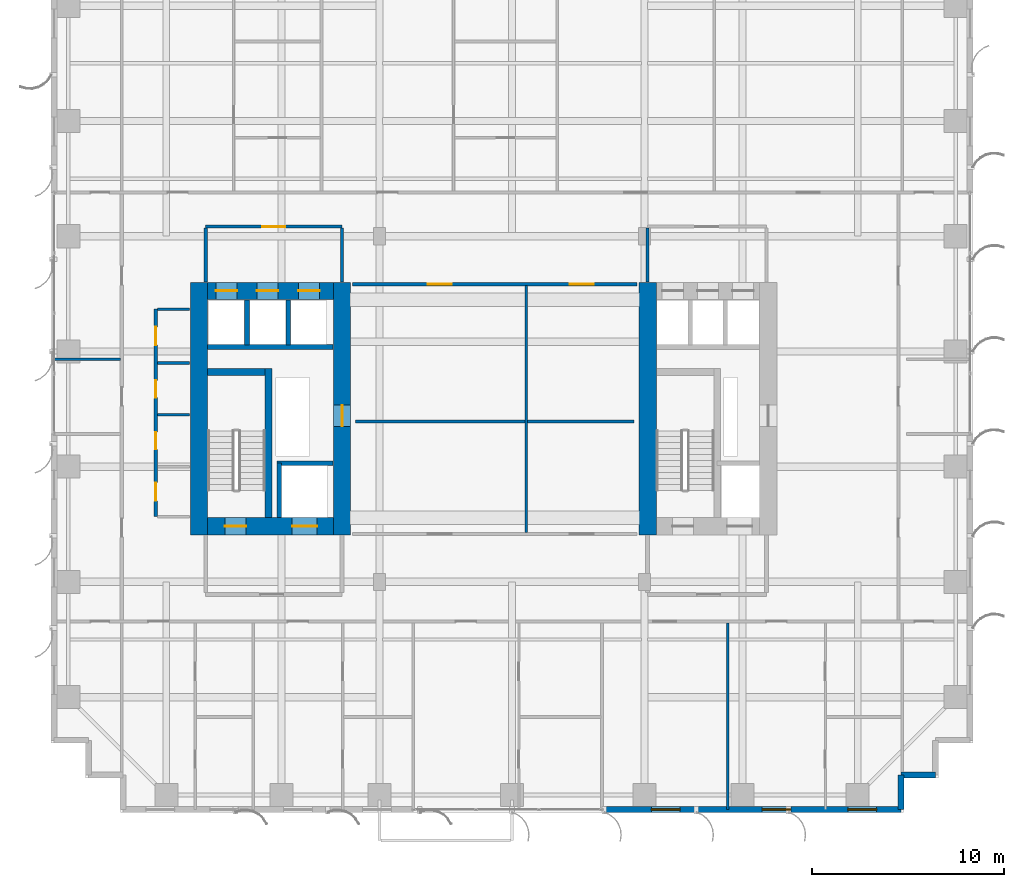
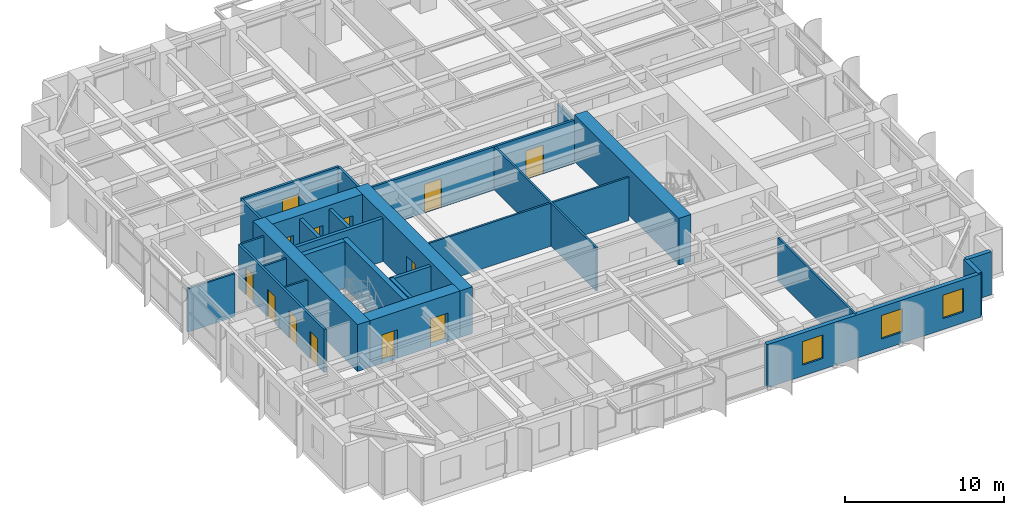
# One storey, part 16 of 22: 28 walls, 13 doors, 3 windows, 16 openings.
"""IFC4 building model written with IfcOpenShell, lengths in metres."""

from ifc_helpers import new_model, si_unit, direction, frame, frame_2d, origin, place, context, subcontext, project, spatial, rectangle, extrude, source, transform, mapped, material, layer, layer_set, type_object, element, fill, save


model = new_model("IFC4")

# Units and contexts
model_context = context("Model", 3, precision=1e-05, world=origin(), true_north=direction((0.0, 1.0)))
body_context = subcontext(model_context, "Body", "Model", "MODEL_VIEW")
ifc_project = project(units=[si_unit("LENGTHUNIT", "METRE"), si_unit("AREAUNIT", "SQUARE_METRE"), si_unit("VOLUMEUNIT", "CUBIC_METRE"), si_unit("PLANEANGLEUNIT", "RADIAN"), si_unit("MASSUNIT", "GRAM", prefix="KILO")], contexts=[model_context])

# Site, building, storey
site_placement = place(None, origin())
site = spatial("IfcSite", under=ifc_project, at=site_placement, CompositionType="ELEMENT")
building_placement = place(site_placement, origin())
building = spatial("IfcBuilding", under=site, at=building_placement, Name="Khoralis Quay Care Tower", CompositionType="ELEMENT")
storey_placement = place(building_placement, frame((0.0, 0.0, 44.10009765625)))
storey = spatial("IfcBuildingStorey", under=building, at=storey_placement, Name="L11", CompositionType="ELEMENT", Elevation=44.10009765625)

# Wall
ifc_material_1 = material(Name="Concrete C80/95", Category="concrete")
ifc_layer_1 = layer(ifc_material_1, 0.89990234375)
ifc_layer_set_1 = layer_set([ifc_layer_1], Name="Concrete C80/95")
wall_type_1 = type_object("IfcWallType", Name="WL-CORE-900", PredefinedType="SHEAR", material=ifc_layer_set_1)
wall_1_placement = place(storey_placement, frame((7.699951171875, 14.449951171875, 0.0), z_axis=(0.0, 0.0, 1.0), x_axis=(0.0, 1.0, 0.0)))
element("IfcWall", 1, at=wall_1_placement, inside=storey, type_object=wall_type_1, Name="L11 WCORE West Shear Wall", PredefinedType="SHEAR", context=body_context, shape_type="SweptSolid", body=[
    extrude(rectangle(XDim=13.150146484375, YDim=0.89990234375, at=frame_2d((6.5751953125, 0.0))), origin(), (0.0, 0.0, 1.0), 3.599853515625),
])

# Wall, opening, door
wall_2_placement = place(storey_placement, frame((15.14990234375, 14.449951171875, 0.0), z_axis=(0.0, 0.0, 1.0), x_axis=(0.0, 1.0, 0.0)))
wall_2 = element("IfcWall", 2, at=wall_2_placement, inside=storey, type_object=wall_type_1, Name="L11 WCORE East Shear Wall", PredefinedType="SHEAR", context=body_context, shape_type="SweptSolid", body=[
    extrude(rectangle(XDim=13.150146484375, YDim=0.89990234375, at=frame_2d((6.5751953125, 0.0))), origin(), (0.0, 0.0, 1.0), 3.599853515625),
])
opening_1_placement = place(wall_2_placement, frame((5.64990234375, 0.0, 0.0)))
opening_1 = element("IfcOpeningElement", 3, at=opening_1_placement, cuts=wall_2, Name="Opening SD1", PredefinedType="OPENING", context=body_context, shape_type="SweptSolid", body=[
    extrude(rectangle(XDim=1.10009765625, YDim=2.199951171875, at=frame_2d((0.550048828125, 1.10009765625))), frame((0.0, 0.4599609375, 0.0), z_axis=(0.0, -1.0, 0.0), x_axis=(1.0, 0.0, 0.0)), (0.0, 0.0, 1.0), 0.919921875),
])
ifc_material_2 = material(Name="Fire-rated painted steel", Category="steel")
door_type_1 = type_object("IfcDoorType", Name="DR-STAIR-1100X2200", OperationType="NOTDEFINED", PredefinedType="DOOR", material=ifc_material_2)
shared_shape_1 = source(origin(), body_context, "Body", "SweptSolid", [
    extrude(rectangle(XDim=1.10009765625, YDim=2.199951171875, at=frame_2d((0.550048828125, 1.10009765625))), frame((0.0, 0.02490234375, 0.0), z_axis=(0.0, -1.0, 0.0), x_axis=(1.0, 0.0, 0.0)), (0.0, 0.0, 1.0), 0.050048828125),
])
door_1_placement = place(opening_1_placement, origin())
door_1 = element("IfcDoor", 4, at=door_1_placement, inside=storey, type_object=door_type_1, Name="L11 West MEP Riser Door", OperationType="SINGLE_SWING_LEFT", OverallHeight=2.199951171875, OverallWidth=1.10009765625, PredefinedType="DOOR", context=body_context, shape_type="MappedRepresentation", body=[
    mapped(shared_shape_1, transform((0.0, 0.0, 0.0), scale=1.0)),
])
fill(opening_1, door_1)

# Wall, openings, doors
wall_3_placement = place(storey_placement, frame((8.14990234375, 14.89990234375, 0.0), z_axis=(0.0, 0.0, 1.0), x_axis=(1.0, 0.0, 0.0)))
wall_3 = element("IfcWall", 5, at=wall_3_placement, inside=storey, type_object=wall_type_1, Name="L11 WCORE South Shear Wall", PredefinedType="SHEAR", context=body_context, shape_type="SweptSolid", body=[
    extrude(rectangle(XDim=6.550048828125, YDim=0.89990234375, at=frame_2d((3.27490234375, 0.0))), origin(), (0.0, 0.0, 1.0), 3.599853515625),
])
opening_2_placement = place(wall_3_placement, frame((0.89990234375, 0.0, 0.0)))
opening_2 = element("IfcOpeningElement", 6, at=opening_2_placement, cuts=wall_3, Name="Opening SD1", PredefinedType="OPENING", context=body_context, shape_type="SweptSolid", body=[
    extrude(rectangle(XDim=1.10009765625, YDim=2.199951171875, at=frame_2d((0.550048828125, 1.10009765625))), frame((0.0, 0.4599609375, 0.0), z_axis=(0.0, -1.0, 0.0), x_axis=(1.0, 0.0, 0.0)), (0.0, 0.0, 1.0), 0.919921875),
])
opening_3_placement = place(wall_3_placement, frame((4.39990234375, 0.0, 0.0)))
opening_3 = element("IfcOpeningElement", 7, at=opening_3_placement, cuts=wall_3, Name="Opening LD2", PredefinedType="OPENING", context=body_context, shape_type="SweptSolid", body=[
    extrude(rectangle(XDim=1.300048828125, YDim=2.199951171875, at=frame_2d((0.64990234375, 1.10009765625))), frame((0.0, 0.4599609375, 0.0), z_axis=(0.0, -1.0, 0.0), x_axis=(1.0, 0.0, 0.0)), (0.0, 0.0, 1.0), 0.919921875),
])
door_2_placement = place(opening_2_placement, origin())
door_2 = element("IfcDoor", 8, at=door_2_placement, inside=storey, type_object=door_type_1, Name="L11 Stair ST-T1 Fire Door", OperationType="SINGLE_SWING_LEFT", OverallHeight=2.199951171875, OverallWidth=1.10009765625, PredefinedType="DOOR", context=body_context, shape_type="MappedRepresentation", body=[
    mapped(shared_shape_1, transform((0.0, 0.0, 0.0), scale=1.0)),
])
fill(opening_2, door_2)
ifc_material_3 = material(Name="Brushed stainless steel", Category="steel")
door_type_2 = type_object("IfcDoorType", Name="DR-LIFT-1300X2200", OperationType="SLIDING_TO_RIGHT", PredefinedType="DOOR", material=ifc_material_3)
shared_shape_2 = source(origin(), body_context, "Body", "SweptSolid", [
    extrude(rectangle(XDim=1.300048828125, YDim=2.199951171875, at=frame_2d((0.64990234375, 1.10009765625))), frame((0.0, 0.02490234375, 0.0), z_axis=(0.0, -1.0, 0.0), x_axis=(1.0, 0.0, 0.0)), (0.0, 0.0, 1.0), 0.050048828125),
])
door_3_placement = place(opening_3_placement, origin())
door_3 = element("IfcDoor", 9, at=door_3_placement, inside=storey, type_object=door_type_2, Name="L11 Firefighting Lift FFL-1 Landing Door", OperationType="SLIDING_TO_RIGHT", OverallHeight=2.199951171875, OverallWidth=1.300048828125, PredefinedType="DOOR", context=body_context, shape_type="MappedRepresentation", body=[
    mapped(shared_shape_2, transform((0.0, 0.0, 0.0), scale=1.0)),
])
fill(opening_3, door_3)

wall_4_placement = place(storey_placement, frame((8.14990234375, 27.14990234375, 0.0), z_axis=(0.0, 0.0, 1.0), x_axis=(1.0, 0.0, 0.0)))
wall_4 = element("IfcWall", 10, at=wall_4_placement, inside=storey, type_object=wall_type_1, Name="L11 WCORE North Shear Wall", PredefinedType="SHEAR", context=body_context, shape_type="SweptSolid", body=[
    extrude(rectangle(XDim=6.550048828125, YDim=0.89990234375, at=frame_2d((3.27490234375, 0.0))), origin(), (0.0, 0.0, 1.0), 3.599853515625),
])
opening_4_placement = place(wall_4_placement, frame((0.429931640625, 0.0, 0.0)))
opening_4 = element("IfcOpeningElement", 11, at=opening_4_placement, cuts=wall_4, Name="Opening LD1", PredefinedType="OPENING", context=body_context, shape_type="SweptSolid", body=[
    extrude(rectangle(XDim=1.10009765625, YDim=2.199951171875, at=frame_2d((0.550048828125, 1.10009765625))), frame((0.0, 0.4599609375, 0.0), z_axis=(0.0, -1.0, 0.0), x_axis=(1.0, 0.0, 0.0)), (0.0, 0.0, 1.0), 0.919921875),
])
opening_5_placement = place(wall_4_placement, frame((2.570068359375, 0.0, 0.0)))
opening_5 = element("IfcOpeningElement", 12, at=opening_5_placement, cuts=wall_4, Name="Opening LD1", PredefinedType="OPENING", context=body_context, shape_type="SweptSolid", body=[
    extrude(rectangle(XDim=1.10009765625, YDim=2.199951171875, at=frame_2d((0.550048828125, 1.10009765625))), frame((0.0, 0.4599609375, 0.0), z_axis=(0.0, -1.0, 0.0), x_axis=(1.0, 0.0, 0.0)), (0.0, 0.0, 1.0), 0.919921875),
])
opening_6_placement = place(wall_4_placement, frame((4.72998046875, 0.0, 0.0)))
opening_6 = element("IfcOpeningElement", 13, at=opening_6_placement, cuts=wall_4, Name="Opening LD1", PredefinedType="OPENING", context=body_context, shape_type="SweptSolid", body=[
    extrude(rectangle(XDim=1.10009765625, YDim=2.199951171875, at=frame_2d((0.550048828125, 1.10009765625))), frame((0.0, 0.4599609375, 0.0), z_axis=(0.0, -1.0, 0.0), x_axis=(1.0, 0.0, 0.0)), (0.0, 0.0, 1.0), 0.919921875),
])
door_type_3 = type_object("IfcDoorType", Name="DR-LIFT-1100X2200", OperationType="SLIDING_TO_LEFT", PredefinedType="DOOR", material=ifc_material_3)
shared_shape_3 = source(origin(), body_context, "Body", "SweptSolid", [
    extrude(rectangle(XDim=1.10009765625, YDim=2.199951171875, at=frame_2d((0.550048828125, 1.10009765625))), frame((0.0, 0.02490234375, 0.0), z_axis=(0.0, -1.0, 0.0), x_axis=(1.0, 0.0, 0.0)), (0.0, 0.0, 1.0), 0.050048828125),
])
door_4_placement = place(opening_4_placement, origin())
door_4 = element("IfcDoor", 14, at=door_4_placement, inside=storey, type_object=door_type_3, Name="L11 Lift PLL1 Landing Door", OperationType="SLIDING_TO_LEFT", OverallHeight=2.199951171875, OverallWidth=1.10009765625, PredefinedType="DOOR", context=body_context, shape_type="MappedRepresentation", body=[
    mapped(shared_shape_3, transform((0.0, 0.0, 0.0), scale=1.0)),
])
fill(opening_4, door_4)
door_5_placement = place(opening_5_placement, origin())
door_5 = element("IfcDoor", 15, at=door_5_placement, inside=storey, type_object=door_type_3, Name="L11 Lift PLM1 Landing Door", OperationType="SLIDING_TO_LEFT", OverallHeight=2.199951171875, OverallWidth=1.10009765625, PredefinedType="DOOR", context=body_context, shape_type="MappedRepresentation", body=[
    mapped(shared_shape_3, transform((0.0, 0.0, 0.0), scale=1.0)),
])
fill(opening_5, door_5)
door_6_placement = place(opening_6_placement, origin())
door_6 = element("IfcDoor", 16, at=door_6_placement, inside=storey, type_object=door_type_3, Name="L11 Lift PLH1 Landing Door", OperationType="SLIDING_TO_LEFT", OverallHeight=2.199951171875, OverallWidth=1.10009765625, PredefinedType="DOOR", context=body_context, shape_type="MappedRepresentation", body=[
    mapped(shared_shape_3, transform((0.0, 0.0, 0.0), scale=1.0)),
])
fill(opening_6, door_6)

# Wall
wall_5_placement = place(storey_placement, frame((31.070068359375, 14.449951171875, 0.0), z_axis=(0.0, 0.0, 1.0), x_axis=(0.0, 1.0, 0.0)))
element("IfcWall", 17, at=wall_5_placement, inside=storey, type_object=wall_type_1, Name="L11 ECORE West Shear Wall", PredefinedType="SHEAR", context=body_context, shape_type="SweptSolid", body=[
    extrude(rectangle(XDim=13.150146484375, YDim=0.89990234375, at=frame_2d((6.5751953125, 0.0))), origin(), (0.0, 0.0, 1.0), 3.599853515625),
])

# Wall, opening, door
ifc_material_4 = material(Name="Gypsum plasterboard on acoustic metal stud")
ifc_layer_2 = layer(ifc_material_4, 0.1650390625)
ifc_layer_set_2 = layer_set([ifc_layer_2], Name="Gypsum plasterboard on acoustic metal stud")
wall_type_2 = type_object("IfcWallType", Name="WL-CORR-165", PredefinedType="PARTITIONING", material=ifc_layer_set_2)
wall_6_placement = place(storey_placement, frame((8.050048828125, 30.5, 0.0), z_axis=(0.0, 0.0, 1.0), x_axis=(1.0, 0.0, 0.0)))
wall_6 = element("IfcWall", 18, at=wall_6_placement, inside=storey, type_object=wall_type_2, Name="L11 West Lift Lobby North Wall", PredefinedType="PARTITIONING", context=body_context, shape_type="SweptSolid", body=[
    extrude(rectangle(XDim=7.099853515625, YDim=0.1650390625, at=frame_2d((3.5498046875, 0.0))), origin(), (0.0, 0.0, 1.0), 3.31982421875),
])
opening_7_placement = place(wall_6_placement, frame((2.949951171875, 0.0, 0.0)))
opening_7 = element("IfcOpeningElement", 19, at=opening_7_placement, cuts=wall_6, Name="Opening FD1", PredefinedType="OPENING", context=body_context, shape_type="SweptSolid", body=[
    extrude(rectangle(XDim=1.199951171875, YDim=2.199951171875, at=frame_2d((0.60009765625, 1.10009765625))), frame((0.0, 0.092529296875, 0.0), z_axis=(0.0, -1.0, 0.0), x_axis=(1.0, 0.0, 0.0)), (0.0, 0.0, 1.0), 0.18505859375),
])
door_type_4 = type_object("IfcDoorType", Name="DR-FFL-1200X2200", OperationType="NOTDEFINED", PredefinedType="DOOR", material=ifc_material_2)
shared_shape_4 = source(origin(), body_context, "Body", "SweptSolid", [
    extrude(rectangle(XDim=1.199951171875, YDim=2.199951171875, at=frame_2d((0.60009765625, 1.10009765625))), frame((0.0, 0.02490234375, 0.0), z_axis=(0.0, -1.0, 0.0), x_axis=(1.0, 0.0, 0.0)), (0.0, 0.0, 1.0), 0.050048828125),
])
door_7_placement = place(opening_7_placement, origin())
door_7 = element("IfcDoor", 20, at=door_7_placement, inside=storey, type_object=door_type_4, Name="L11 West Lift Lobby Double Door", OperationType="DOUBLE_DOOR_SINGLE_SWING", OverallHeight=2.199951171875, OverallWidth=1.199951171875, PredefinedType="DOOR", context=body_context, shape_type="MappedRepresentation", body=[
    mapped(shared_shape_4, transform((0.0, 0.0, 0.0), scale=1.0)),
])
fill(opening_7, door_7)

# Walls
for number, where, z_axis, x_axis, name in (
    (21, (8.050048828125, 27.6201171875, 0.0), (0.0, 0.0, 1.0), (0.0, 1.0, 0.0), "L11 West Lift Lobby West Wall"),
    (22, (15.14990234375, 27.6201171875, 0.0), (0.0, 0.0, 1.0), (0.0, 1.0, 0.0), "L11 West Lift Lobby East Wall"),
):
    element("IfcWall", number, at=place(storey_placement, frame(where, z_axis=z_axis, x_axis=x_axis)), inside=storey, type_object=wall_type_2, Name=name, PredefinedType="PARTITIONING", context=body_context, shape_type="SweptSolid", body=[
        extrude(rectangle(XDim=2.802490234375, YDim=0.1650390625, at=frame_2d((1.4013671875, 0.0))), origin(), (0.0, 0.0, 1.0), 3.31982421875),
    ])
wall_7_placement = place(storey_placement, frame((31.050048828125, 27.6201171875, 0.0), z_axis=(0.0, 0.0, 1.0), x_axis=(0.0, 1.0, 0.0)))
element("IfcWall", 23, at=wall_7_placement, inside=storey, type_object=wall_type_2, Name="L11 East Lift Lobby West Wall", PredefinedType="PARTITIONING", context=body_context, shape_type="SweptSolid", body=[
    extrude(rectangle(XDim=2.802490234375, YDim=0.1650390625, at=frame_2d((1.4013671875, 0.0))), origin(), (0.0, 0.0, 1.0), 2.625),
])

# Wall, openings, doors
wall_8_placement = place(storey_placement, frame((5.449951171875, 15.39990234375, 0.0), z_axis=(0.0, 0.0, 1.0), x_axis=(0.0, 1.0, 0.0)))
wall_8 = element("IfcWall", 24, at=wall_8_placement, inside=storey, type_object=wall_type_2, Name="L11 West Core Service Flank Wall", PredefinedType="PARTITIONING", context=body_context, shape_type="SweptSolid", body=[
    extrude(rectangle(XDim=10.800048828125, YDim=0.1650390625, at=frame_2d((5.39990234375, 0.0))), origin(), (0.0, 0.0, 1.0), 3.31982421875),
])
opening_8_placement = place(wall_8_placement, frame((0.824951171875, 0.0, 0.0)))
opening_8 = element("IfcOpeningElement", 25, at=opening_8_placement, cuts=wall_8, Name="Opening ID1", PredefinedType="OPENING", context=body_context, shape_type="SweptSolid", body=[
    extrude(rectangle(XDim=0.949951171875, YDim=2.10009765625, at=frame_2d((0.47509765625, 1.050048828125))), frame((0.0, 0.092529296875, 0.0), z_axis=(0.0, -1.0, 0.0), x_axis=(1.0, 0.0, 0.0)), (0.0, 0.0, 1.0), 0.18505859375),
])
opening_9_placement = place(wall_8_placement, frame((3.5, 0.0, 0.0)))
opening_9 = element("IfcOpeningElement", 26, at=opening_9_placement, cuts=wall_8, Name="Opening WD1", PredefinedType="OPENING", context=body_context, shape_type="SweptSolid", body=[
    extrude(rectangle(XDim=0.89990234375, YDim=2.10009765625, at=frame_2d((0.449951171875, 1.050048828125))), frame((0.0, 0.092529296875, 0.0), z_axis=(0.0, -1.0, 0.0), x_axis=(1.0, 0.0, 0.0)), (0.0, 0.0, 1.0), 0.18505859375),
])
opening_10_placement = place(wall_8_placement, frame((6.199951171875, 0.0, 0.0)))
opening_10 = element("IfcOpeningElement", 27, at=opening_10_placement, cuts=wall_8, Name="Opening WD1", PredefinedType="OPENING", context=body_context, shape_type="SweptSolid", body=[
    extrude(rectangle(XDim=0.89990234375, YDim=2.10009765625, at=frame_2d((0.449951171875, 1.050048828125))), frame((0.0, 0.092529296875, 0.0), z_axis=(0.0, -1.0, 0.0), x_axis=(1.0, 0.0, 0.0)), (0.0, 0.0, 1.0), 0.18505859375),
])
opening_11_placement = place(wall_8_placement, frame((8.925048828125, 0.0, 0.0)))
opening_11 = element("IfcOpeningElement", 28, at=opening_11_placement, cuts=wall_8, Name="Opening ID1", PredefinedType="OPENING", context=body_context, shape_type="SweptSolid", body=[
    extrude(rectangle(XDim=0.949951171875, YDim=2.10009765625, at=frame_2d((0.47509765625, 1.050048828125))), frame((0.0, 0.092529296875, 0.0), z_axis=(0.0, -1.0, 0.0), x_axis=(1.0, 0.0, 0.0)), (0.0, 0.0, 1.0), 0.18505859375),
])
ifc_material_5 = material(Name="Acoustic hardwood timber", Category="wood")
door_type_5 = type_object("IfcDoorType", Name="DR-BATH-900X2100", OperationType="NOTDEFINED", PredefinedType="DOOR", material=ifc_material_5)
shared_shape_5 = source(origin(), body_context, "Body", "SweptSolid", [
    extrude(rectangle(XDim=0.89990234375, YDim=2.10009765625, at=frame_2d((0.449951171875, 1.050048828125))), frame((0.0, 0.02490234375, 0.0), z_axis=(0.0, -1.0, 0.0), x_axis=(1.0, 0.0, 0.0)), (0.0, 0.0, 1.0), 0.050048828125),
])
door_8_placement = place(opening_9_placement, frame((0.89990234375, 0.0, 0.0), z_axis=(0.0, 0.0, 1.0), x_axis=(-1.0, 0.0, 0.0)))
door_8 = element("IfcDoor", 29, at=door_8_placement, inside=storey, type_object=door_type_5, Name="L11 Public Accessible WC Door", OperationType="SINGLE_SWING_LEFT", OverallHeight=2.10009765625, OverallWidth=0.89990234375, PredefinedType="DOOR", context=body_context, shape_type="MappedRepresentation", body=[
    mapped(shared_shape_5, transform((0.0, 0.0, 0.0), scale=1.0)),
])
fill(opening_9, door_8)
door_9_placement = place(opening_10_placement, frame((0.89990234375, 0.0, 0.0), z_axis=(0.0, 0.0, 1.0), x_axis=(-1.0, 0.0, 0.0)))
door_9 = element("IfcDoor", 30, at=door_9_placement, inside=storey, type_object=door_type_5, Name="L11 Staff Accessible WC Door", OperationType="SINGLE_SWING_RIGHT", OverallHeight=2.10009765625, OverallWidth=0.89990234375, PredefinedType="DOOR", context=body_context, shape_type="MappedRepresentation", body=[
    mapped(shared_shape_5, transform((0.0, 0.0, 0.0), scale=1.0)),
])
fill(opening_10, door_9)
door_type_6 = type_object("IfcDoorType", Name="DR-ROOM-950X2100", OperationType="NOTDEFINED", PredefinedType="DOOR", material=ifc_material_5)
shared_shape_6 = source(origin(), body_context, "Body", "SweptSolid", [
    extrude(rectangle(XDim=0.949951171875, YDim=2.10009765625, at=frame_2d((0.47509765625, 1.050048828125))), frame((0.0, 0.02490234375, 0.0), z_axis=(0.0, -1.0, 0.0), x_axis=(1.0, 0.0, 0.0)), (0.0, 0.0, 1.0), 0.050048828125),
])
door_10_placement = place(opening_8_placement, frame((0.949951171875, 0.0, 0.0), z_axis=(0.0, 0.0, 1.0), x_axis=(-1.0, 0.0, 0.0)))
door_10 = element("IfcDoor", 31, at=door_10_placement, inside=storey, type_object=door_type_6, Name="L11 Housekeeping Store Door", OperationType="SINGLE_SWING_RIGHT", OverallHeight=2.10009765625, OverallWidth=0.949951171875, PredefinedType="DOOR", context=body_context, shape_type="MappedRepresentation", body=[
    mapped(shared_shape_6, transform((0.0, 0.0, 0.0), scale=1.0)),
])
fill(opening_8, door_10)
door_11_placement = place(opening_11_placement, frame((0.949951171875, 0.0, 0.0), z_axis=(0.0, 0.0, 1.0), x_axis=(-1.0, 0.0, 0.0)))
door_11 = element("IfcDoor", 32, at=door_11_placement, inside=storey, type_object=door_type_6, Name="L11 Telecom IDF Room Door", OperationType="SINGLE_SWING_LEFT", OverallHeight=2.10009765625, OverallWidth=0.949951171875, PredefinedType="DOOR", context=body_context, shape_type="MappedRepresentation", body=[
    mapped(shared_shape_6, transform((0.0, 0.0, 0.0), scale=1.0)),
])
fill(opening_11, door_11)

wall_9_placement = place(storey_placement, frame((15.699951171875, 27.5, 0.0), z_axis=(0.0, 0.0, 1.0), x_axis=(1.0, 0.0, 0.0)))
wall_9 = element("IfcWall", 33, at=wall_9_placement, inside=storey, type_object=wall_type_2, Name="L11 Central Clinical North Wall", PredefinedType="PARTITIONING", context=body_context, shape_type="SweptSolid", body=[
    extrude(rectangle(XDim=14.800048828125, YDim=0.1650390625, at=frame_2d((7.39990234375, 0.0))), origin(), (0.0, 0.0, 1.0), 3.31982421875),
])
opening_12_placement = place(wall_9_placement, frame((3.89990234375, 0.0, 0.0)))
opening_12 = element("IfcOpeningElement", 34, at=opening_12_placement, cuts=wall_9, Name="Opening CD1", PredefinedType="OPENING", context=body_context, shape_type="SweptSolid", body=[
    extrude(rectangle(XDim=1.25, YDim=2.199951171875, at=frame_2d((0.625, 1.10009765625))), frame((0.0, 0.092529296875, 0.0), z_axis=(0.0, -1.0, 0.0), x_axis=(1.0, 0.0, 0.0)), (0.0, 0.0, 1.0), 0.18505859375),
])
opening_13_placement = place(wall_9_placement, frame((11.300048828125, 0.0, 0.0)))
opening_13 = element("IfcOpeningElement", 35, at=opening_13_placement, cuts=wall_9, Name="Opening CD1", PredefinedType="OPENING", context=body_context, shape_type="SweptSolid", body=[
    extrude(rectangle(XDim=1.25, YDim=2.199951171875, at=frame_2d((0.625, 1.10009765625))), frame((0.0, 0.092529296875, 0.0), z_axis=(0.0, -1.0, 0.0), x_axis=(1.0, 0.0, 0.0)), (0.0, 0.0, 1.0), 0.18505859375),
])
door_type_7 = type_object("IfcDoorType", Name="DR-CARE-1250X2200", OperationType="NOTDEFINED", PredefinedType="DOOR", material=ifc_material_5)
shared_shape_7 = source(origin(), body_context, "Body", "SweptSolid", [
    extrude(rectangle(XDim=1.25, YDim=2.199951171875, at=frame_2d((0.625, 1.10009765625))), frame((0.0, 0.02490234375, 0.0), z_axis=(0.0, -1.0, 0.0), x_axis=(1.0, 0.0, 0.0)), (0.0, 0.0, 1.0), 0.050048828125),
])
door_12_placement = place(opening_12_placement, frame((1.25, 0.0, 0.0), z_axis=(0.0, 0.0, 1.0), x_axis=(-1.0, 0.0, 0.0)))
door_12 = element("IfcDoor", 36, at=door_12_placement, inside=storey, type_object=door_type_7, Name="L11 Library Lounge Door", OperationType="SINGLE_SWING_LEFT", OverallHeight=2.199951171875, OverallWidth=1.25, PredefinedType="DOOR", context=body_context, shape_type="MappedRepresentation", body=[
    mapped(shared_shape_7, transform((0.0, 0.0, 0.0), scale=1.0)),
])
fill(opening_12, door_12)
door_13_placement = place(opening_13_placement, frame((1.25, 0.0, 0.0), z_axis=(0.0, 0.0, 1.0), x_axis=(-1.0, 0.0, 0.0)))
door_13 = element("IfcDoor", 37, at=door_13_placement, inside=storey, type_object=door_type_7, Name="L11 Occupational Therapy Door", OperationType="SINGLE_SWING_RIGHT", OverallHeight=2.199951171875, OverallWidth=1.25, PredefinedType="DOOR", context=body_context, shape_type="MappedRepresentation", body=[
    mapped(shared_shape_7, transform((0.0, 0.0, 0.0), scale=1.0)),
])
fill(opening_13, door_13)

# Wall, openings, windows
ifc_material_6 = material(Name="Precast concrete C45/55", Category="concrete")
ifc_layer_3 = layer(ifc_material_6, 0.300048828125)
ifc_layer_set_3 = layer_set([ifc_layer_3], Name="Precast concrete C45/55")
wall_type_3 = type_object("IfcWallType", Name="WL-EXT-REF-300", PredefinedType="SOLIDWALL", material=ifc_layer_set_3)
wall_10_placement = place(storey_placement, frame((28.68994140625, 0.14990234375, 0.0), z_axis=(0.0, 0.0, 1.0), x_axis=(1.0, 0.0, 0.0)))
wall_10 = element("IfcWall", 38, at=wall_10_placement, inside=storey, type_object=wall_type_3, Name="L11 External Facade Wall WL-EXT-L11-P1-E0B", PredefinedType="SOLIDWALL", context=body_context, shape_type="SweptSolid", body=[
    extrude(rectangle(XDim=15.56005859375, YDim=0.300048828125, at=frame_2d((7.780029296875, 0.0))), origin(), (0.0, 0.0, 1.0), 3.31982421875),
])
opening_14_placement = place(wall_10_placement, frame((2.570068359375, 0.0, 0.85009765625)))
opening_14 = element("IfcOpeningElement", 39, at=opening_14_placement, cuts=wall_10, Name="Opening W3", PredefinedType="OPENING", context=body_context, shape_type="SweptSolid", body=[
    extrude(rectangle(XDim=1.5, YDim=1.800048828125, at=frame_2d((0.75, 0.89990234375))), frame((0.0, 0.16015625, 0.0), z_axis=(0.0, -1.0, 0.0), x_axis=(1.0, 0.0, 0.0)), (0.0, 0.0, 1.0), 0.320068359375),
])
opening_15_placement = place(wall_10_placement, frame((8.3349609375, 0.0, 0.85009765625)))
opening_15 = element("IfcOpeningElement", 40, at=opening_15_placement, cuts=wall_10, Name="Opening W3", PredefinedType="OPENING", context=body_context, shape_type="SweptSolid", body=[
    extrude(rectangle(XDim=1.5, YDim=1.800048828125, at=frame_2d((0.75, 0.89990234375))), frame((0.0, 0.16015625, 0.0), z_axis=(0.0, -1.0, 0.0), x_axis=(1.0, 0.0, 0.0)), (0.0, 0.0, 1.0), 0.320068359375),
])
opening_16_placement = place(wall_10_placement, frame((12.794921875, 0.0, 0.85009765625)))
opening_16 = element("IfcOpeningElement", 41, at=opening_16_placement, cuts=wall_10, Name="Opening W3", PredefinedType="OPENING", context=body_context, shape_type="SweptSolid", body=[
    extrude(rectangle(XDim=1.5, YDim=1.800048828125, at=frame_2d((0.75, 0.89990234375))), frame((0.0, 0.16015625, 0.0), z_axis=(0.0, -1.0, 0.0), x_axis=(1.0, 0.0, 0.0)), (0.0, 0.0, 1.0), 0.320068359375),
])
ifc_material_7 = material(Name="Low-E solar-control double glazing", Category="glass")
window_type = type_object("IfcWindowType", Name="WN-CLIN-1500X1800", PartitioningType="SINGLE_PANEL", PredefinedType="WINDOW", material=ifc_material_7)
shared_shape_8 = source(origin(), body_context, "Body", "SweptSolid", [
    extrude(rectangle(XDim=1.5, YDim=1.800048828125, at=frame_2d((0.75, 0.89990234375))), frame((0.0, 0.030029296875, 0.0), z_axis=(0.0, -1.0, 0.0), x_axis=(1.0, 0.0, 0.0)), (0.0, 0.0, 1.0), 0.06005859375),
])
window_1_placement = place(opening_14_placement, origin())
window_1 = element("IfcWindow", 42, at=window_1_placement, inside=storey, type_object=window_type, Name="WN-L11-P1-E0B Facade Window 01", OverallHeight=1.800048828125, OverallWidth=1.5, PartitioningType="SINGLE_PANEL", PredefinedType="WINDOW", context=body_context, shape_type="MappedRepresentation", body=[
    mapped(shared_shape_8, transform((0.0, 0.0, 0.0), scale=1.0)),
])
fill(opening_14, window_1)
window_2_placement = place(opening_15_placement, origin())
window_2 = element("IfcWindow", 43, at=window_2_placement, inside=storey, type_object=window_type, Name="WN-L11-P1-E0B Facade Window 02", OverallHeight=1.800048828125, OverallWidth=1.5, PartitioningType="SINGLE_PANEL", PredefinedType="WINDOW", context=body_context, shape_type="MappedRepresentation", body=[
    mapped(shared_shape_8, transform((0.0, 0.0, 0.0), scale=1.0)),
])
fill(opening_15, window_2)
window_3_placement = place(opening_16_placement, origin())
window_3 = element("IfcWindow", 44, at=window_3_placement, inside=storey, type_object=window_type, Name="WN-L11-P1-E0B Facade Window 03", OverallHeight=1.800048828125, OverallWidth=1.5, PartitioningType="SINGLE_PANEL", PredefinedType="WINDOW", context=body_context, shape_type="MappedRepresentation", body=[
    mapped(shared_shape_8, transform((0.0, 0.0, 0.0), scale=1.0)),
])
fill(opening_16, window_3)

# Walls
for number, where, z_axis, x_axis, name in (
    (45, (44.25, 0.14990234375, 0.0), (0.0, 0.0, 1.0), (0.0, 1.0, 0.0), "L11 External Facade Wall WL-EXT-L11-P1-C1"),
    (46, (44.25, 1.949951171875, 0.0), (0.0, 0.0, 1.0), (1.0, 0.0, 0.0), "L11 External Facade Wall WL-EXT-L11-P1-C2"),
):
    element("IfcWall", number, at=place(storey_placement, frame(where, z_axis=z_axis, x_axis=x_axis)), inside=storey, type_object=wall_type_3, Name=name, PredefinedType="SOLIDWALL", context=body_context, shape_type="SweptSolid", body=[
        extrude(rectangle(XDim=1.800048828125, YDim=0.300048828125, at=frame_2d((0.89990234375, 0.0))), origin(), (0.0, 0.0, 1.0), 3.31982421875),
    ])
ifc_material_8 = material(Name="Moisture-resistant gypsum and ceramic tile")
ifc_layer_4 = layer(ifc_material_8, 0.280029296875)
ifc_layer_set_4 = layer_set([ifc_layer_4], Name="Moisture-resistant gypsum and ceramic tile")
wall_type_4 = type_object("IfcWallType", Name="WL-PLUMB-280", PredefinedType="PLUMBINGWALL", material=ifc_layer_set_4)
wall_11_placement = place(storey_placement, frame((5.527587890625, 20.699951171875, 0.0), z_axis=(0.0, 0.0, 1.0), x_axis=(1.0, 0.0, 0.0)))
element("IfcWall", 47, at=wall_11_placement, inside=storey, type_object=wall_type_4, Name="L11 West Flank Divider 2", PredefinedType="PLUMBINGWALL", context=body_context, shape_type="SweptSolid", body=[
    extrude(rectangle(XDim=1.682373046875, YDim=0.139892578125, at=frame_2d((0.84130859375, 0.0))), origin(), (0.0, 0.0, 1.0), 3.31982421875),
])
ifc_material_9 = material(Name="Concrete C40/50", Category="concrete")
ifc_layer_5 = layer(ifc_material_9, 0.35009765625)
ifc_layer_set_5 = layer_set([ifc_layer_5], Name="Concrete C40/50")
wall_type_5 = type_object("IfcWallType", Name="WL-SC-CORE-350", PredefinedType="SHEAR", material=ifc_layer_set_5)
wall_12_placement = place(storey_placement, frame((11.324951171875, 15.35009765625, 0.0), z_axis=(0.0, 0.0, 1.0), x_axis=(0.0, 1.0, 0.0)))
element("IfcWall", 48, at=wall_12_placement, inside=storey, type_object=wall_type_5, Name="L11 Stair ST-T1 Shear Baffle Wall East", PredefinedType="SHEAR", context=body_context, shape_type="SweptSolid", body=[
    extrude(rectangle(XDim=7.75, YDim=0.35009765625, at=frame_2d((3.875, 0.0))), origin(), (0.0, 0.0, 1.0), 3.599853515625),
])
wall_13_placement = place(storey_placement, frame((8.14990234375, 22.925048828125, 0.0), z_axis=(0.0, 0.0, 1.0), x_axis=(1.0, 0.0, 0.0)))
element("IfcWall", 49, at=wall_13_placement, inside=storey, type_object=wall_type_5, Name="L11 Stair ST-T1 Shear Baffle Wall North", PredefinedType="SHEAR", context=body_context, shape_type="SweptSolid", body=[
    extrude(rectangle(XDim=3.0, YDim=0.35009765625, at=frame_2d((1.5, 0.0))), origin(), (0.0, 0.0, 1.0), 3.599853515625),
])
ifc_layer_6 = layer(ifc_material_4, 0.239990234375)
ifc_layer_set_6 = layer_set([ifc_layer_6], Name="Gypsum plasterboard on acoustic metal stud")
wall_type_6 = type_object("IfcWallType", Name="WL-SHAFT-240", PredefinedType="PARTITIONING", material=ifc_layer_set_6)
wall_14_placement = place(storey_placement, frame((11.8798828125, 15.35009765625, 0.0), z_axis=(0.0, 0.0, 1.0), x_axis=(0.0, 1.0, 0.0)))
element("IfcWall", 50, at=wall_14_placement, inside=storey, type_object=wall_type_6, Name="L11 FFL-1 Shaft Wall West", PredefinedType="PARTITIONING", context=body_context, shape_type="SweptSolid", body=[
    extrude(rectangle(XDim=2.849853515625, YDim=0.239990234375, at=frame_2d((1.4248046875, 0.0))), origin(), (0.0, 0.0, 1.0), 3.31982421875),
])
wall_15_placement = place(storey_placement, frame((11.760009765625, 18.169921875, 0.0), z_axis=(0.0, 0.0, 1.0), x_axis=(1.0, 0.0, 0.0)))
element("IfcWall", 51, at=wall_15_placement, inside=storey, type_object=wall_type_6, Name="L11 FFL-1 Shaft Wall North", PredefinedType="PARTITIONING", context=body_context, shape_type="SweptSolid", body=[
    extrude(rectangle(XDim=2.919921875, YDim=0.239990234375, at=frame_2d((1.4599609375, 0.0))), origin(), (0.0, 0.0, 1.0), 3.31982421875),
])
wall_16_placement = place(storey_placement, frame((8.14990234375, 24.22998046875, 0.0), z_axis=(0.0, 0.0, 1.0), x_axis=(1.0, 0.0, 0.0)))
element("IfcWall", 52, at=wall_16_placement, inside=storey, type_object=wall_type_6, Name="L11 West Passenger Shaft South Wall", PredefinedType="PARTITIONING", context=body_context, shape_type="SweptSolid", body=[
    extrude(rectangle(XDim=6.530029296875, YDim=0.239990234375, at=frame_2d((3.26513671875, 0.0))), origin(), (0.0, 0.0, 1.0), 3.31982421875),
])
for number, where, z_axis, x_axis, name in (
    (53, (10.199951171875, 24.344970703125, 0.0), (0.0, 0.0, 1.0), (0.0, 1.0, 0.0), "L11 West Shaft Divider 1"),
    (54, (12.35009765625, 24.344970703125, 0.0), (0.0, 0.0, 1.0), (0.0, 1.0, 0.0), "L11 West Shaft Divider 2"),
):
    element("IfcWall", number, at=place(storey_placement, frame(where, z_axis=z_axis, x_axis=x_axis)), inside=storey, type_object=wall_type_6, Name=name, PredefinedType="PARTITIONING", context=body_context, shape_type="SweptSolid", body=[
        extrude(rectangle(XDim=2.3349609375, YDim=0.239990234375, at=frame_2d((1.16748046875, 0.0))), origin(), (0.0, 0.0, 1.0), 3.31982421875),
    ])
ifc_layer_7 = layer(ifc_material_4, 0.139892578125)
ifc_layer_set_7 = layer_set([ifc_layer_7], Name="Gypsum plasterboard on acoustic metal stud")
wall_type_7 = type_object("IfcWallType", Name="WL-UNIT-140", PredefinedType="PARTITIONING", material=ifc_layer_set_7)
for number, where, z_axis, x_axis, name in (
    (55, (5.527587890625, 26.199951171875, 0.0), (0.0, 0.0, 1.0), (1.0, 0.0, 0.0), "L11 West Flank North Cap"),
    (56, (5.527587890625, 23.39990234375, 0.0), (0.0, 0.0, 1.0), (1.0, 0.0, 0.0), "L11 West Flank Divider 3"),
):
    element("IfcWall", number, at=place(storey_placement, frame(where, z_axis=z_axis, x_axis=x_axis)), inside=storey, type_object=wall_type_7, Name=name, PredefinedType="PARTITIONING", context=body_context, shape_type="SweptSolid", body=[
        extrude(rectangle(XDim=1.682373046875, YDim=0.139892578125, at=frame_2d((0.84130859375, 0.0))), origin(), (0.0, 0.0, 1.0), 3.31982421875),
    ])
wall_17_placement = place(storey_placement, frame((0.14501953125, 23.60009765625, 0.0), z_axis=(0.0, 0.0, 1.0), x_axis=(1.0, 0.0, 0.0)))
element("IfcWall", 57, at=wall_17_placement, inside=storey, type_object=wall_type_7, Name="L11 WW Divider 2", PredefinedType="PARTITIONING", context=body_context, shape_type="SweptSolid", body=[
    extrude(rectangle(XDim=3.45751953125, YDim=0.139892578125, at=frame_2d((1.728759765625, 0.0))), origin(), (0.0, 0.0, 1.0), 3.31982421875),
])
wall_18_placement = place(storey_placement, frame((24.75, 14.577392578125, 0.0), z_axis=(0.0, 0.0, 1.0), x_axis=(0.0, 1.0, 0.0)))
element("IfcWall", 58, at=wall_18_placement, inside=storey, type_object=wall_type_7, Name="L11 Central Split V", PredefinedType="PARTITIONING", context=body_context, shape_type="SweptSolid", body=[
    extrude(rectangle(XDim=12.84521484375, YDim=0.139892578125, at=frame_2d((6.422607421875, 0.0))), origin(), (0.0, 0.0, 1.0), 3.31982421875),
])
wall_19_placement = place(storey_placement, frame((15.85009765625, 20.35009765625, 0.0), z_axis=(0.0, 0.0, 1.0), x_axis=(1.0, 0.0, 0.0)))
element("IfcWall", 59, at=wall_19_placement, inside=storey, type_object=wall_type_7, Name="L11 Central Split H", PredefinedType="PARTITIONING", context=body_context, shape_type="SweptSolid", body=[
    extrude(rectangle(XDim=14.5, YDim=0.139892578125, at=frame_2d((7.25, 0.0))), origin(), (0.0, 0.0, 1.0), 3.31982421875),
])
wall_20_placement = place(storey_placement, frame((35.22998046875, 0.14501953125, 0.0), z_axis=(0.0, 0.0, 1.0), x_axis=(0.0, 1.0, 0.0)))
element("IfcWall", 60, at=wall_20_placement, inside=storey, type_object=wall_type_7, Name="L11 SB Demising Wall 4", PredefinedType="PARTITIONING", context=body_context, shape_type="SweptSolid", body=[
    extrude(rectangle(XDim=9.717529296875, YDim=0.139892578125, at=frame_2d((4.85888671875, 0.0))), origin(), (0.0, 0.0, 1.0), 3.31982421875),
])

save(model, "model.ifc")
